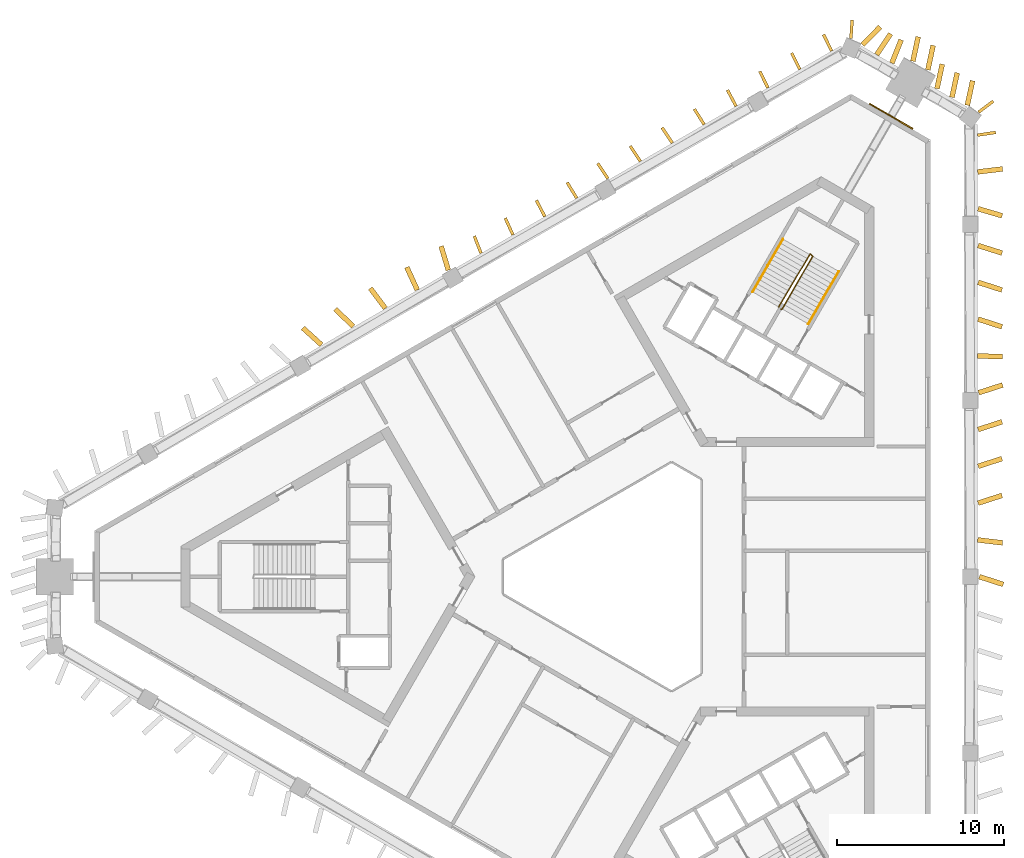
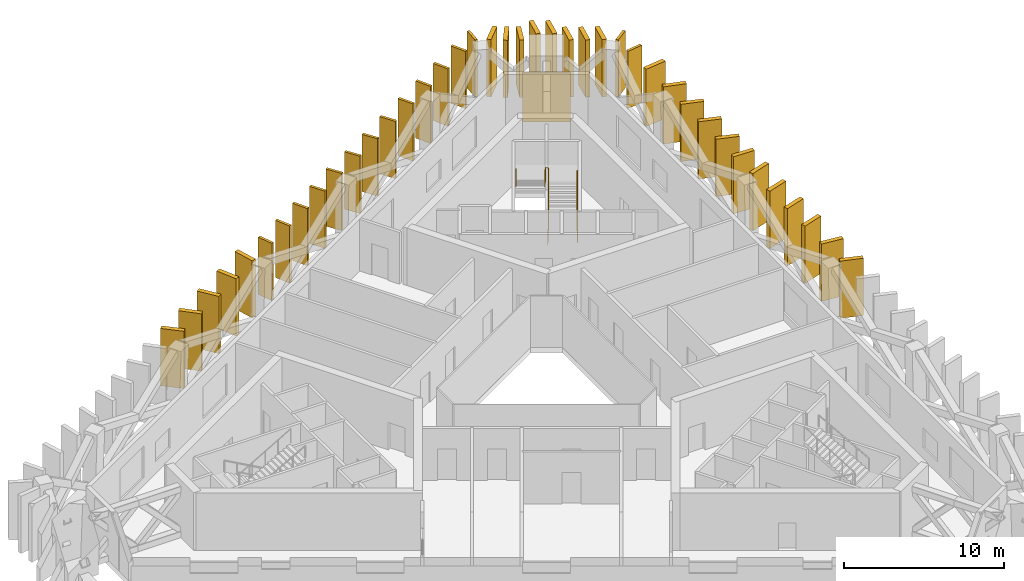
# One storey, part 9 of 9: 40 shading devices, 3 railings, 1 covering.
"""IFC4 building model written with IfcOpenShell, lengths in metres."""

from ifc_helpers import new_model, si_unit, direction, frame, frame_2d, origin, origin_2d, place, context, subcontext, project, spatial, rectangle, circle, extrude, material, layer, layer_set, type_object, element, save


model = new_model("IFC4")

# Units and contexts
model_context = context("Model", 3, precision=1e-05, world=origin(), true_north=direction((0.0, 1.0)))
body_context = subcontext(model_context, "Body", "Model", "MODEL_VIEW")
ifc_project = project(units=[si_unit("LENGTHUNIT", "METRE"), si_unit("AREAUNIT", "SQUARE_METRE"), si_unit("VOLUMEUNIT", "CUBIC_METRE"), si_unit("PLANEANGLEUNIT", "RADIAN"), si_unit("MASSUNIT", "GRAM", prefix="KILO")], contexts=[model_context])

# Site, building, storey
site_placement = place(None, origin())
site = spatial("IfcSite", under=ifc_project, at=site_placement, CompositionType="ELEMENT")
building_placement = place(site_placement, origin())
building = spatial("IfcBuilding", under=site, at=building_placement, Name="Jabali Bay Hotel Tower and Convention Centre", CompositionType="ELEMENT")
storey_placement = place(building_placement, frame((0.0, 0.0, 197.0)))
storey = spatial("IfcBuildingStorey", under=building, at=storey_placement, Name="L48", CompositionType="ELEMENT", Elevation=197.0)

# Shading devices
ifc_material_1 = material(Name="Precast concrete C60", Category="concrete")
ifc_layer_1 = layer(ifc_material_1, 0.179931640625)
ifc_layer_set_1 = layer_set([ifc_layer_1], Name="Precast concrete C60")
shading_device_type_1 = type_object("IfcShadingDeviceType", Name="Precast fin 4380 x 1100", PredefinedType="USERDEFINED", material=ifc_layer_set_1)
shading_device_1_placement = place(storey_placement, frame((96.091796875, 106.436767578125, 0.010009765625), z_axis=(0.0, 0.0, 1.0), x_axis=(0.989014359823, 0.147819471194, 0.0)))
element("IfcShadingDevice", 1, at=shading_device_1_placement, inside=storey, type_object=shading_device_type_1, Name="Fin L48 024", ObjectType="FIN", PredefinedType="USERDEFINED", context=body_context, shape_type="SweptSolid", body=[
    extrude(rectangle(XDim=1.099853515625, YDim=0.179931640625, at=frame_2d((0.5498046875, 0.0))), origin(), (0.0, 0.0, 1.0), 4.3798828125),
])
for number, where, z_axis, x_axis, name in (
    (2, (87.352783203125, 111.477783203125, 0.010009765625), (0.0, 0.0, 1.0), (-0.444103724486, 0.895975380185, 0.0), "Fin L48 033"),
    (3, (85.44482421875, 110.376220703125, 0.010009765625), (0.0, 0.0, 1.0), (-0.444548317937, 0.895754873288, 0.0), "Fin L48 034"),
):
    element("IfcShadingDevice", number, at=place(storey_placement, frame(where, z_axis=z_axis, x_axis=x_axis)), inside=storey, type_object=shading_device_type_1, Name=name, ObjectType="FIN", PredefinedType="USERDEFINED", context=body_context, shape_type="SweptSolid", body=[
        extrude(rectangle(XDim=1.10009765625, YDim=0.179931640625, at=frame_2d((0.550048828125, 0.0))), origin(), (0.0, 0.0, 1.0), 4.3798828125),
    ])
shading_device_2_placement = place(storey_placement, frame((83.536865234375, 109.274658203125, 0.010009765625), z_axis=(0.0, 0.0, 1.0), x_axis=(-0.444636711754, 0.895710999464, 0.0)))
element("IfcShadingDevice", 4, at=shading_device_2_placement, inside=storey, type_object=shading_device_type_1, Name="Fin L48 035", ObjectType="FIN", PredefinedType="USERDEFINED", context=body_context, shape_type="SweptSolid", body=[
    extrude(rectangle(XDim=1.099853515625, YDim=0.179931640625, at=frame_2d((0.5498046875, 0.0))), origin(), (0.0, 0.0, 1.0), 4.3798828125),
])
shading_device_3_placement = place(storey_placement, frame((81.63037109375, 108.1708984375, 0.010009765625), z_axis=(0.0, 0.0, 1.0), x_axis=(-0.470496080985, 0.88240208396, 0.0)))
element("IfcShadingDevice", 5, at=shading_device_3_placement, inside=storey, type_object=shading_device_type_1, Name="Fin L48 036", ObjectType="FIN", PredefinedType="USERDEFINED", context=body_context, shape_type="SweptSolid", body=[
    extrude(rectangle(XDim=1.10009765625, YDim=0.179931640625, at=frame_2d((0.550048828125, 0.0))), origin(), (0.0, 0.0, 1.0), 4.3798828125),
])
shading_device_4_placement = place(storey_placement, frame((79.72216796875, 107.06982421875, 0.010009765625), z_axis=(0.0, 0.0, 1.0), x_axis=(-0.53336652604, 0.845884240839, 0.0)))
element("IfcShadingDevice", 6, at=shading_device_4_placement, inside=storey, type_object=shading_device_type_1, Name="Fin L48 037", ObjectType="FIN", PredefinedType="USERDEFINED", context=body_context, shape_type="SweptSolid", body=[
    extrude(rectangle(XDim=1.099853515625, YDim=0.179931640625, at=frame_2d((0.5498046875, 0.0))), origin(), (0.0, 0.0, 1.0), 4.3798828125),
])
shading_device_5_placement = place(storey_placement, frame((77.813232421875, 105.969970703125, 0.010009765625), z_axis=(0.0, 0.0, 1.0), x_axis=(-0.553470491168, 0.832868786428, 0.0)))
element("IfcShadingDevice", 7, at=shading_device_5_placement, inside=storey, type_object=shading_device_type_1, Name="Fin L48 038", ObjectType="FIN", PredefinedType="USERDEFINED", context=body_context, shape_type="SweptSolid", body=[
    extrude(rectangle(XDim=1.10009765625, YDim=0.179931640625, at=frame_2d((0.550048828125, 0.0))), origin(), (0.0, 0.0, 1.0), 4.3798828125),
])
for number, where, z_axis, x_axis, name in (
    (8, (75.9052734375, 104.86865234375, 0.010009765625), (0.0, 0.0, 1.0), (-0.553829065157, 0.832630390142, 0.0), "Fin L48 039"),
    (9, (73.9599609375, 103.83203125, 0.010009765625), (0.0, 0.0, 1.0), (-0.554495278767, 0.832186869534, 0.0), "Fin L48 040"),
    (10, (72.09130859375, 102.662353515625, 0.010009765625), (0.0, 0.0, 1.0), (-0.519383517788, 0.854541257898, 0.0), "Fin L48 041"),
    (11, (70.1826171875, 101.5625, 0.010009765625), (0.0, 0.0, 1.0), (-0.462596350733, 0.886569013833, 0.0), "Fin L48 042"),
    (12, (68.272216796875, 100.465087890625, 0.010009765625), (0.0, 0.0, 1.0), (-0.414605457481, 0.910001271772, 0.0), "Fin L48 043"),
    (13, (66.36181640625, 99.367919921875, 0.010009765625), (0.0, 0.0, 1.0), (-0.362724768687, 0.931896315145, 0.0), "Fin L48 044"),
):
    element("IfcShadingDevice", number, at=place(storey_placement, frame(where, z_axis=z_axis, x_axis=x_axis)), inside=storey, type_object=shading_device_type_1, Name=name, ObjectType="FIN", PredefinedType="USERDEFINED", context=body_context, shape_type="SweptSolid", body=[
        extrude(rectangle(XDim=1.099853515625, YDim=0.179931640625, at=frame_2d((0.5498046875, 0.0))), origin(), (0.0, 0.0, 1.0), 4.3798828125),
    ])
shading_device_6_placement = place(storey_placement, frame((96.1494140625, 107.81005859375, 0.010009765625), z_axis=(0.0, 0.0, 1.0), x_axis=(0.80225793897, 0.59697755348, 0.0)))
element("IfcShadingDevice", 14, at=shading_device_6_placement, inside=storey, type_object=shading_device_type_1, Name="Fin L48 100", ObjectType="FIN", PredefinedType="USERDEFINED", context=body_context, shape_type="SweptSolid", body=[
    extrude(rectangle(XDim=1.10009765625, YDim=0.179931640625, at=frame_2d((0.550048828125, 0.0))), origin(), (0.0, 0.0, 1.0), 4.3798828125),
])
shading_device_7_placement = place(storey_placement, frame((88.509521484375, 112.225830078125, 0.010009765625), z_axis=(0.0, 0.0, 1.0), x_axis=(0.063704857788, 0.997968782625, 0.0)))
element("IfcShadingDevice", 15, at=shading_device_7_placement, inside=storey, type_object=shading_device_type_1, Name="Fin L48 101", ObjectType="FIN", PredefinedType="USERDEFINED", context=body_context, shape_type="SweptSolid", body=[
    extrude(rectangle(XDim=1.099853515625, YDim=0.179931640625, at=frame_2d((0.5498046875, 0.0))), origin(), (0.0, 0.0, 1.0), 4.3798828125),
])
ifc_layer_2 = layer(ifc_material_1, 0.300048828125)
ifc_layer_set_2 = layer_set([ifc_layer_2], Name="Precast concrete C60")
shading_device_type_2 = type_object("IfcShadingDeviceType", Name="Precast fin 4380 x 1500", PredefinedType="USERDEFINED", material=ifc_layer_set_2)
for number, where, z_axis, x_axis, name in (
    (16, (96.19921875, 80.0, 0.010009765625), (0.0, 0.0, 1.0), (0.951777621698, -0.30678878538, 0.0), "Fin L48 012"),
    (17, (96.09619140625, 82.203125, 0.010009765625), (0.0, 0.0, 1.0), (0.993013271325, -0.118002724424, 0.0), "Fin L48 013"),
):
    element("IfcShadingDevice", number, at=place(storey_placement, frame(where, z_axis=z_axis, x_axis=x_axis)), inside=storey, type_object=shading_device_type_2, Name=name, ObjectType="FIN", PredefinedType="USERDEFINED", context=body_context, shape_type="SweptSolid", body=[
        extrude(rectangle(XDim=1.5, YDim=0.300048828125, at=frame_2d((0.75, 0.0))), origin(), (0.0, 0.0, 1.0), 4.3798828125),
    ])
for number, where, z_axis, x_axis, name in (
    (18, (96.12451171875, 84.406005859375, 0.010009765625), (0.0, 0.0, 1.0), (0.951762299961, 0.306836315277, 0.0), "Fin L48 014"),
    (19, (96.12451171875, 86.609130859375, 0.010009765625), (0.0, 0.0, 1.0), (0.951762299961, 0.306836315277, 0.0), "Fin L48 015"),
    (20, (96.12451171875, 88.812255859375, 0.010009765625), (0.0, 0.0, 1.0), (0.951762299961, 0.306836315277, 0.0), "Fin L48 016"),
):
    element("IfcShadingDevice", number, at=place(storey_placement, frame(where, z_axis=z_axis, x_axis=x_axis)), inside=storey, type_object=shading_device_type_2, Name=name, ObjectType="FIN", PredefinedType="USERDEFINED", context=body_context, shape_type="SweptSolid", body=[
        extrude(rectangle(XDim=1.499755859375, YDim=0.300048828125, at=frame_2d((0.75, 0.0))), origin(), (0.0, 0.0, 1.0), 4.3798828125),
    ])
for number, where, z_axis, x_axis, name in (
    (21, (96.1591796875, 91.015380859375, 0.010009765625), (0.0, 0.0, 1.0), (0.951825135568, 0.306641339844, 0.0), "Fin L48 017"),
    (22, (96.083251953125, 93.21826171875, 0.010009765625), (0.0, 0.0, 1.0), (0.999501379244, -0.031575194199, 0.0), "Fin L48 018"),
):
    element("IfcShadingDevice", number, at=place(storey_placement, frame(where, z_axis=z_axis, x_axis=x_axis)), inside=storey, type_object=shading_device_type_2, Name=name, ObjectType="FIN", PredefinedType="USERDEFINED", context=body_context, shape_type="SweptSolid", body=[
        extrude(rectangle(XDim=1.5, YDim=0.300048828125, at=frame_2d((0.75, 0.0))), origin(), (0.0, 0.0, 1.0), 4.3798828125),
    ])
shading_device_8_placement = place(storey_placement, frame((96.124267578125, 95.42138671875, 0.010009765625), z_axis=(0.0, 0.0, 1.0), x_axis=(0.951887918049, -0.306446392492, 0.0)))
element("IfcShadingDevice", 23, at=shading_device_8_placement, inside=storey, type_object=shading_device_type_2, Name="Fin L48 019", ObjectType="FIN", PredefinedType="USERDEFINED", context=body_context, shape_type="SweptSolid", body=[
    extrude(rectangle(XDim=1.500244140625, YDim=0.300048828125, at=frame_2d((0.75, 0.0))), origin(), (0.0, 0.0, 1.0), 4.3798828125),
])
for number, where, z_axis, x_axis, name in (
    (24, (96.124267578125, 97.62451171875, 0.010009765625), (0.0, 0.0, 1.0), (0.952250140307, -0.305318964829, 0.0), "Fin L48 020"),
    (25, (96.12353515625, 99.827392578125, 0.010009765625), (0.0, 0.0, 1.0), (0.953840616603, -0.300313299937, 0.0), "Fin L48 021"),
    (26, (96.12060546875, 102.030517578125, 0.010009765625), (0.0, 0.0, 1.0), (0.959489813418, -0.281743319258, 0.0), "Fin L48 022"),
):
    element("IfcShadingDevice", number, at=place(storey_placement, frame(where, z_axis=z_axis, x_axis=x_axis)), inside=storey, type_object=shading_device_type_2, Name=name, ObjectType="FIN", PredefinedType="USERDEFINED", context=body_context, shape_type="SweptSolid", body=[
        extrude(rectangle(XDim=1.5, YDim=0.300048828125, at=frame_2d((0.75, 0.0))), origin(), (0.0, 0.0, 1.0), 4.3798828125),
    ])
shading_device_9_placement = place(storey_placement, frame((96.09619140625, 104.233642578125, 0.010009765625), z_axis=(0.0, 0.0, 1.0), x_axis=(0.992917595253, 0.118805088434, 0.0)))
element("IfcShadingDevice", 27, at=shading_device_9_placement, inside=storey, type_object=shading_device_type_2, Name="Fin L48 023", ObjectType="FIN", PredefinedType="USERDEFINED", context=body_context, shape_type="SweptSolid", body=[
    extrude(rectangle(XDim=1.500244140625, YDim=0.300048828125, at=frame_2d((0.75, 0.0))), origin(), (0.0, 0.0, 1.0), 4.3798828125),
])
for number, where, z_axis, x_axis, name in (
    (28, (95.47802734375, 108.2255859375, 0.010009765625), (0.0, 0.0, 1.0), (0.210118148459, 0.977676001387, 0.0), "Fin L48 025"),
    (29, (94.557373046875, 108.700439453125, 0.010009765625), (0.0, 0.0, 1.0), (0.210118148459, 0.977676001387, 0.0), "Fin L48 026"),
    (30, (93.6611328125, 109.2177734375, 0.010009765625), (0.0, 0.0, 1.0), (0.210273710971, 0.977642555577, 0.0), "Fin L48 027"),
    (31, (93.11474609375, 110.3408203125, 0.010009765625), (0.0, 0.0, 1.0), (0.210118148459, 0.977676001387, 0.0), "Fin L48 028"),
    (32, (92.218505859375, 110.858154296875, 0.010009765625), (0.0, 0.0, 1.0), (0.210273710971, 0.977642555577, 0.0), "Fin L48 029"),
    (33, (90.96044921875, 110.74853515625, 0.010009765625), (0.0, 0.0, 1.0), (0.372260503789, 0.928128287102, 0.0), "Fin L48 030"),
    (34, (90.058349609375, 111.25537109375, 0.010009765625), (0.0, 0.0, 1.0), (0.552068291916, 0.833798897254, 0.0), "Fin L48 031"),
    (35, (89.20849609375, 111.852783203125, 0.010009765625), (0.0, 0.0, 1.0), (0.701305421728, 0.712860929954, 0.0), "Fin L48 032"),
):
    element("IfcShadingDevice", number, at=place(storey_placement, frame(where, z_axis=z_axis, x_axis=x_axis)), inside=storey, type_object=shading_device_type_2, Name=name, ObjectType="FIN", PredefinedType="USERDEFINED", context=body_context, shape_type="SweptSolid", body=[
        extrude(rectangle(XDim=1.5, YDim=0.300048828125, at=frame_2d((0.75, 0.0))), origin(), (0.0, 0.0, 1.0), 4.3798828125),
    ])
shading_device_10_placement = place(storey_placement, frame((64.40625, 98.34912109375, 0.010009765625), z_axis=(0.0, 0.0, 1.0), x_axis=(-0.288602060612, 0.957449137349, 0.0)))
element("IfcShadingDevice", 36, at=shading_device_10_placement, inside=storey, type_object=shading_device_type_2, Name="Fin L48 045", ObjectType="FIN", PredefinedType="USERDEFINED", context=body_context, shape_type="SweptSolid", body=[
    extrude(rectangle(XDim=1.499755859375, YDim=0.300048828125, at=frame_2d((0.75, 0.0))), origin(), (0.0, 0.0, 1.0), 4.3798828125),
])
for number, where, z_axis, x_axis, name in (
    (37, (62.5458984375, 97.1650390625, 0.010009765625), (0.0, 0.0, 1.0), (-0.417147825838, 0.908838649816, 0.0), "Fin L48 046"),
    (38, (60.635986328125, 96.06689453125, 0.010009765625), (0.0, 0.0, 1.0), (-0.599609303521, 0.800292873348, 0.0), "Fin L48 047"),
    (39, (58.7158203125, 94.986572265625, 0.010009765625), (0.0, 0.0, 1.0), (-0.723990823639, 0.689809602199, 0.0), "Fin L48 048"),
):
    element("IfcShadingDevice", number, at=place(storey_placement, frame(where, z_axis=z_axis, x_axis=x_axis)), inside=storey, type_object=shading_device_type_2, Name=name, ObjectType="FIN", PredefinedType="USERDEFINED", context=body_context, shape_type="SweptSolid", body=[
        extrude(rectangle(XDim=1.5, YDim=0.300048828125, at=frame_2d((0.75, 0.0))), origin(), (0.0, 0.0, 1.0), 4.3798828125),
    ])
shading_device_11_placement = place(storey_placement, frame((56.80615234375, 93.88818359375, 0.010009765625), z_axis=(0.0, 0.0, 1.0), x_axis=(-0.741315920747, 0.671156245331, 0.0)))
element("IfcShadingDevice", 40, at=shading_device_11_placement, inside=storey, type_object=shading_device_type_2, Name="Fin L48 049", ObjectType="FIN", PredefinedType="USERDEFINED", context=body_context, shape_type="SweptSolid", body=[
    extrude(rectangle(XDim=1.499755859375, YDim=0.300048828125, at=frame_2d((0.75, 0.0))), origin(), (0.0, 0.0, 1.0), 4.3798828125),
])

# Covering
ifc_material_2 = material(Name="Precast concrete C40/50", Category="concrete")
ifc_layer_3 = layer(ifc_material_2, 0.080078125)
ifc_layer_set_3 = layer_set([ifc_layer_3], Name="Precast concrete C40/50")
covering_type = type_object("IfcCoveringType", Name="Relief panel 3000 x 3750", PredefinedType="CLADDING", material=ifc_layer_set_3)
covering_placement = place(storey_placement, frame((90.9140625, 107.56396484375, 0.10009765625), z_axis=(0.0, 0.0, 1.0), x_axis=(0.866025401166, -0.500000004534, 0.0)))
element("IfcCovering", 41, at=covering_placement, inside=storey, type_object=covering_type, Name="Relief panel L48", PredefinedType="CLADDING", context=body_context, shape_type="SweptSolid", body=[
    extrude(rectangle(XDim=3.0, YDim=0.080078125, at=origin_2d()), origin(), (0.0, 0.0, 1.0), 3.75),
])

# Railings
ifc_material_3 = material(Name="Steel Q355B", Category="steel")
railing_type_1 = type_object("IfcRailingType", Name="Stair guard 1100", PredefinedType="GUARDRAIL", material=ifc_material_3)
railing_1_placement = place(storey_placement, frame((84.329833984375, 96.010009765625, 0.0)))
element("IfcRailing", 42, at=railing_1_placement, inside=storey, type_object=railing_type_1, Name="L48 ST2 stair guard 1", PredefinedType="GUARDRAIL", context=body_context, shape_type="SweptSolid", body=[
    extrude(circle(Radius=0.02392578125, at=origin_2d()), frame((0.0, 0.0, 1.076171875), z_axis=(0.396471330136, 0.106197677715, 0.911884059312), x_axis=(-0.258736085224, 0.965948051503, 0.0)), (0.0, 0.0, 1.0), 0.17236328125),
    extrude(circle(Radius=0.02392578125, at=origin_2d()), frame((0.068359375, 0.018310546875, 1.2333984375), z_axis=(0.436044357701, 0.755225318126, 0.48938740991), x_axis=(-0.866018046521, 0.500012742938, 0.0)), (0.0, 0.0, 1.0), 4.174072265625),
    extrude(circle(Radius=0.02392578125, at=origin_2d()), frame((1.888427734375, 3.170654296875, 3.27587890625), z_axis=(-0.718850276695, 0.695164929852, 0.0), x_axis=(-0.695164929852, -0.718850276695, 0.0)), (0.0, 0.0, 1.0), 0.2060546875),
    extrude(circle(Radius=0.02392578125, at=origin_2d()), frame((1.740234375, 3.31396484375, 3.27587890625), z_axis=(-0.439537937446, -0.737980503376, 0.512046070372), x_axis=(0.859157857954, -0.511710636118, 0.0)), (0.0, 0.0, 1.0), 4.29638671875),
    extrude(circle(Radius=0.02099609375, at=origin_2d()), origin(), (0.0, 0.0, 1.0), 1.052001953125),
    extrude(circle(Radius=0.02099609375, at=origin_2d()), frame((0.068359375, 0.018310546875, 0.1572265625)), (0.0, 0.0, 1.0), 1.052001953125),
    extrude(circle(Radius=0.02099609375, at=origin_2d()), frame((0.5234375, 0.806396484375, 0.66796875)), (0.0, 0.0, 1.0), 1.052001953125),
    extrude(circle(Radius=0.02099609375, at=origin_2d()), frame((0.978515625, 1.594482421875, 1.1787109375)), (0.0, 0.0, 1.0), 1.052001953125),
    extrude(circle(Radius=0.02099609375, at=origin_2d()), frame((1.433349609375, 2.382568359375, 1.689208984375)), (0.0, 0.0, 1.0), 1.052001953125),
    extrude(circle(Radius=0.02099609375, at=origin_2d()), frame((1.888427734375, 3.170654296875, 2.199951171875)), (0.0, 0.0, 1.0), 1.052001953125),
    extrude(circle(Radius=0.02099609375, at=origin_2d()), frame((1.740234375, 3.31396484375, 2.199951171875)), (0.0, 0.0, 1.0), 1.052001953125),
    extrude(circle(Radius=0.02099609375, at=origin_2d()), frame((1.26806640625, 2.521240234375, 2.75)), (0.0, 0.0, 1.0), 1.052001953125),
    extrude(circle(Radius=0.02099609375, at=origin_2d()), frame((0.7958984375, 1.728515625, 3.2998046875)), (0.0, 0.0, 1.0), 1.052001953125),
    extrude(circle(Radius=0.02099609375, at=origin_2d()), frame((0.323974609375, 0.93603515625, 3.849853515625)), (0.0, 0.0, 1.0), 1.052001953125),
    extrude(circle(Radius=0.02099609375, at=origin_2d()), frame((-0.148193359375, 0.143310546875, 4.39990234375)), (0.0, 0.0, 1.0), 1.052001953125),
])
railing_type_2 = type_object("IfcRailingType", Name="Stair handrail 900", PredefinedType="HANDRAIL", material=ifc_material_3)
railing_2_placement = place(storey_placement, frame((85.95703125, 95.128173828125, 0.1572265625)))
element("IfcRailing", 43, at=railing_2_placement, inside=storey, type_object=railing_type_2, Name="L48 ST2 stair handrail 1", PredefinedType="HANDRAIL", context=body_context, shape_type="SweptSolid", body=[
    extrude(circle(Radius=0.02392578125, at=origin_2d()), frame((0.0, 0.0, 0.8759765625), z_axis=(0.436044357701, 0.755225318126, 0.48938740991), x_axis=(-0.866018046521, 0.500012742938, 0.0)), (0.0, 0.0, 1.0), 4.174072265625),
    extrude(circle(Radius=0.02099609375, at=origin_2d()), origin(), (0.0, 0.0, 1.0), 0.851806640625),
    extrude(circle(Radius=0.02099609375, at=origin_2d()), frame((0.455078125, 0.7880859375, 0.5107421875)), (0.0, 0.0, 1.0), 0.851806640625),
    extrude(circle(Radius=0.02099609375, at=origin_2d()), frame((0.91015625, 1.576171875, 1.021484375)), (0.0, 0.0, 1.0), 0.851806640625),
    extrude(circle(Radius=0.02099609375, at=origin_2d()), frame((1.364990234375, 2.3642578125, 1.531982421875)), (0.0, 0.0, 1.0), 0.851806640625),
    extrude(circle(Radius=0.02099609375, at=origin_2d()), frame((1.820068359375, 3.15234375, 2.042724609375)), (0.0, 0.0, 1.0), 0.851806640625),
])
railing_3_placement = place(storey_placement, frame((84.44287109375, 100.20556640625, 2.357177734375)))
element("IfcRailing", 44, at=railing_3_placement, inside=storey, type_object=railing_type_2, Name="L48 ST2 stair handrail 2", PredefinedType="HANDRAIL", context=body_context, shape_type="SweptSolid", body=[
    extrude(circle(Radius=0.02392578125, at=origin_2d()), frame((0.0, 0.0, 0.8759765625), z_axis=(-0.436044357701, -0.755225318126, 0.48938740991), x_axis=(0.866018046521, -0.500012742938, 0.0)), (0.0, 0.0, 1.0), 4.174072265625),
    extrude(circle(Radius=0.02099609375, at=origin_2d()), origin(), (0.0, 0.0, 1.0), 0.851806640625),
    extrude(circle(Radius=0.02099609375, at=origin_2d()), frame((-0.455078125, -0.7880859375, 0.5107421875)), (0.0, 0.0, 1.0), 0.851806640625),
    extrude(circle(Radius=0.02099609375, at=origin_2d()), frame((-0.91015625, -1.576171875, 1.021484375)), (0.0, 0.0, 1.0), 0.851806640625),
    extrude(circle(Radius=0.02099609375, at=origin_2d()), frame((-1.364990234375, -2.3642578125, 1.531982421875)), (0.0, 0.0, 1.0), 0.851806640625),
    extrude(circle(Radius=0.02099609375, at=origin_2d()), frame((-1.820068359375, -3.15234375, 2.042724609375)), (0.0, 0.0, 1.0), 0.851806640625),
])

save(model, "model.ifc")
